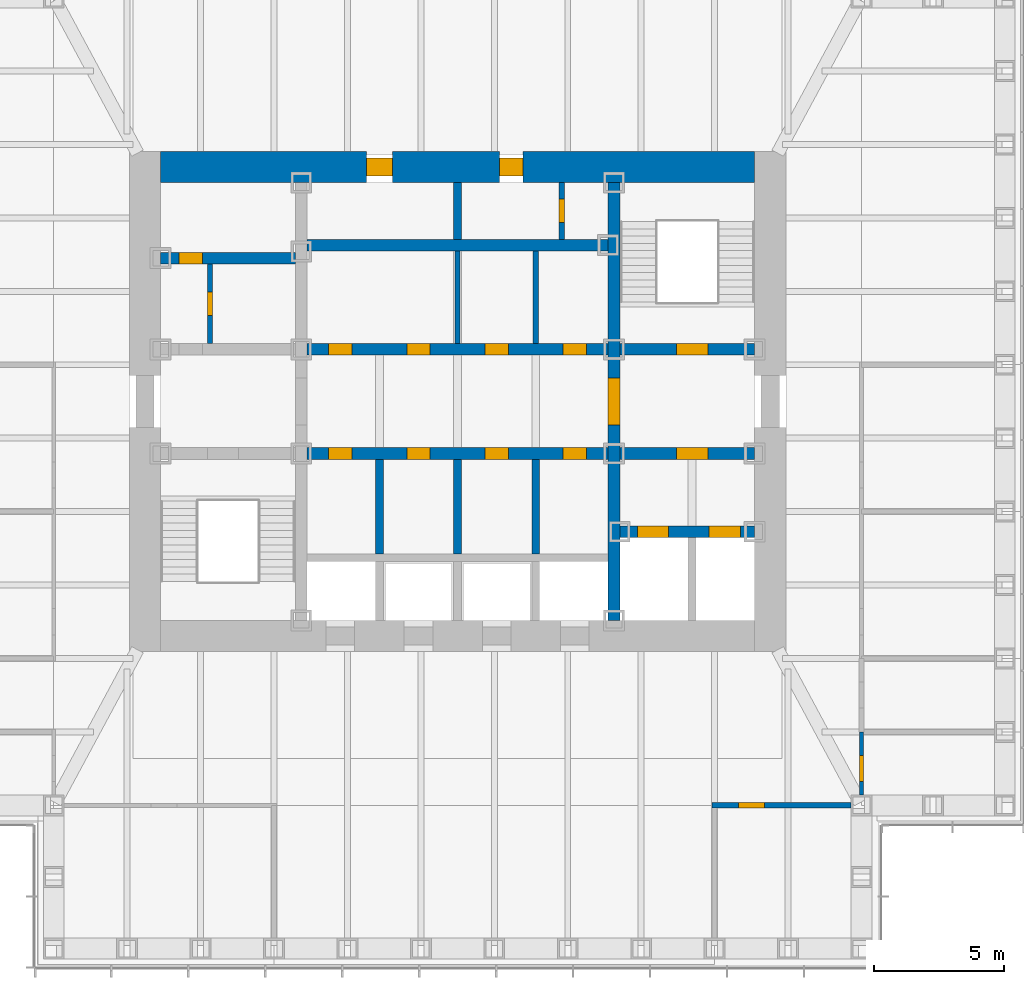
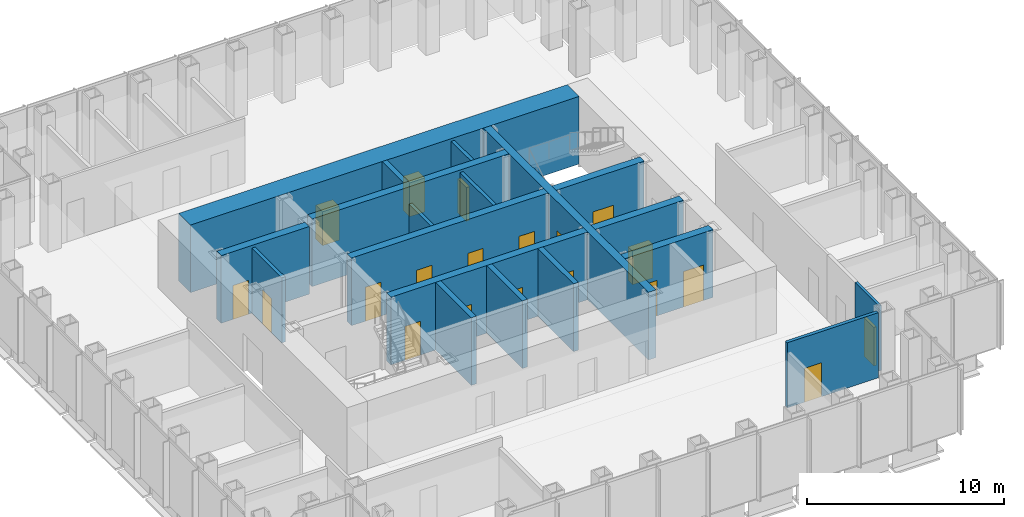
# One storey, part 9 of 16: 20 doors, 19 walls, 20 openings.
"""IFC4 building model written with IfcOpenShell, lengths in metres."""

from ifc_helpers import new_model, si_unit, direction, frame, frame_2d, origin, place, context, subcontext, project, spatial, rectangle, extrude, material, layer, layer_set, type_object, element, fill, save


model = new_model("IFC4")

# Units and contexts
model_context = context("Model", 3, precision=1e-05, world=origin(), true_north=direction((0.0, 1.0)))
body_context = subcontext(model_context, "Body", "Model", "MODEL_VIEW")
ifc_project = project(units=[si_unit("LENGTHUNIT", "METRE"), si_unit("AREAUNIT", "SQUARE_METRE"), si_unit("VOLUMEUNIT", "CUBIC_METRE"), si_unit("PLANEANGLEUNIT", "RADIAN"), si_unit("MASSUNIT", "GRAM", prefix="KILO")], contexts=[model_context])

# Site, building, storey
site_placement = place(None, origin())
site = spatial("IfcSite", under=ifc_project, at=site_placement, CompositionType="ELEMENT")
building_placement = place(site_placement, origin())
building = spatial("IfcBuilding", under=site, at=building_placement, Name="Daluyong Arena Tower", CompositionType="ELEMENT")
storey_placement = place(building_placement, frame((0.0, 0.0, 231.699951171875)))
storey = spatial("IfcBuildingStorey", under=building, at=storey_placement, Name="L52", CompositionType="ELEMENT", Elevation=231.699951171875)

# Wall, opening, door
ifc_material_1 = material(Name="Concrete fc' 45 MPa", Category="concrete")
ifc_layer_1 = layer(ifc_material_1, 0.449951171875)
ifc_layer_set_1 = layer_set([ifc_layer_1], Name="Concrete fc' 45 MPa")
wall_type_1 = type_object("IfcWallType", Name="Core inner wall 450", PredefinedType="SHEAR", material=ifc_layer_set_1)
wall_1_placement = place(storey_placement, frame((62.0, 71.60009765625, 0.0), z_axis=(0.0, 0.0, 1.0), x_axis=(0.0, 1.0, 0.0)))
wall_1 = element("IfcWall", 1, at=wall_1_placement, inside=storey, type_object=wall_type_1, Name="core inner wall at L52", PredefinedType="SHEAR", context=body_context, shape_type="SweptSolid", body=[
    extrude(rectangle(XDim=16.7998046875, YDim=0.449951171875, at=frame_2d((8.39990234375, 0.0))), origin(), (0.0, 0.0, 1.0), 4.199951171875),
])
opening_1_placement = place(wall_1_placement, frame((7.5, 0.0, 0.0)))
opening_1 = element("IfcOpeningElement", 2, at=opening_1_placement, cuts=wall_1, Name="Opening 52020", PredefinedType="OPENING", context=body_context, shape_type="SweptSolid", body=[
    extrude(rectangle(XDim=1.800048828125, YDim=2.39990234375, at=frame_2d((0.89990234375, 1.199951171875))), frame((0.0, 0.23486328125, 0.0), z_axis=(0.0, -1.0, 0.0), x_axis=(1.0, 0.0, 0.0)), (0.0, 0.0, 1.0), 0.469970703125),
])
ifc_material_2 = material(Name="Steel door, fire rated", Category="steel")
door_type_1 = type_object("IfcDoorType", Name="Lift lobby opening door 1800", OperationType="DOUBLE_DOOR_SINGLE_SWING", PredefinedType="DOOR", material=ifc_material_2)
door_1_placement = place(opening_1_placement, origin())
door_1 = element("IfcDoor", 3, at=door_1_placement, inside=storey, type_object=door_type_1, Name="lift lobby door east 52020", OperationType="DOUBLE_DOOR_SINGLE_SWING", OverallHeight=2.39990234375, OverallWidth=1.800048828125, PredefinedType="DOOR", context=body_context, shape_type="SweptSolid", body=[
    extrude(rectangle(XDim=1.800048828125, YDim=2.39990234375, at=frame_2d((0.89990234375, 1.199951171875))), frame((0.0, 0.224609375, 0.0), z_axis=(0.0, -1.0, 0.0), x_axis=(1.0, 0.0, 0.0)), (0.0, 0.0, 1.0), 0.449462890625),
])
fill(opening_1, door_1)

wall_2_placement = place(storey_placement, frame((44.60009765625, 85.5, 0.0), z_axis=(0.0, 0.0, 1.0), x_axis=(1.0, 0.0, 0.0)))
wall_2 = element("IfcWall", 4, at=wall_2_placement, inside=storey, type_object=wall_type_1, Name="core inner wall at L52", PredefinedType="SHEAR", context=body_context, shape_type="SweptSolid", body=[
    extrude(rectangle(XDim=5.1748046875, YDim=0.449951171875, at=frame_2d((2.58740234375, 0.0))), origin(), (0.0, 0.0, 1.0), 4.199951171875),
])
opening_2_placement = place(wall_2_placement, frame((0.699951171875, 0.0, 0.0)))
opening_2 = element("IfcOpeningElement", 5, at=opening_2_placement, cuts=wall_2, Name="Opening 52003", PredefinedType="OPENING", context=body_context, shape_type="SweptSolid", body=[
    extrude(rectangle(XDim=0.89990234375, YDim=2.10009765625, at=frame_2d((0.449951171875, 1.050048828125))), frame((0.0, 0.23486328125, 0.0), z_axis=(0.0, -1.0, 0.0), x_axis=(1.0, 0.0, 0.0)), (0.0, 0.0, 1.0), 0.469970703125),
])
ifc_material_3 = material(Name="Timber door", Category="wood")
door_type_2 = type_object("IfcDoorType", Name="Toilet door 900", OperationType="SINGLE_SWING_RIGHT", PredefinedType="DOOR", material=ifc_material_3)
door_2_placement = place(opening_2_placement, origin())
door_2 = element("IfcDoor", 6, at=door_2_placement, inside=storey, type_object=door_type_2, Name="female toilet door 52003", OperationType="SINGLE_SWING_RIGHT", OverallHeight=2.10009765625, OverallWidth=0.89990234375, PredefinedType="DOOR", context=body_context, shape_type="SweptSolid", body=[
    extrude(rectangle(XDim=0.89990234375, YDim=2.10009765625, at=frame_2d((0.449951171875, 1.050048828125))), frame((0.0, 0.224609375, 0.0), z_axis=(0.0, -1.0, 0.0), x_axis=(1.0, 0.0, 0.0)), (0.0, 0.0, 1.0), 0.449462890625),
])
fill(opening_2, door_2)

# Wall, openings, doors
wall_3_placement = place(storey_placement, frame((62.22509765625, 75.0, 0.0), z_axis=(0.0, 0.0, 1.0), x_axis=(1.0, 0.0, 0.0)))
wall_3 = element("IfcWall", 7, at=wall_3_placement, inside=storey, type_object=wall_type_1, Name="core inner wall at L52", PredefinedType="SHEAR", context=body_context, shape_type="SweptSolid", body=[
    extrude(rectangle(XDim=5.1748046875, YDim=0.449951171875, at=frame_2d((2.58740234375, 0.0))), origin(), (0.0, 0.0, 1.0), 4.199951171875),
])
opening_3_placement = place(wall_3_placement, frame((0.675048828125, 0.0, 0.0)))
opening_3 = element("IfcOpeningElement", 8, at=opening_3_placement, cuts=wall_3, Name="Opening 52026", PredefinedType="OPENING", context=body_context, shape_type="SweptSolid", body=[
    extrude(rectangle(XDim=1.199951171875, YDim=2.199951171875, at=frame_2d((0.60009765625, 1.10009765625))), frame((0.0, 0.23486328125, 0.0), z_axis=(0.0, -1.0, 0.0), x_axis=(1.0, 0.0, 0.0)), (0.0, 0.0, 1.0), 0.469970703125),
])
opening_4_placement = place(wall_3_placement, frame((3.425048828125, 0.0, 0.0)))
opening_4 = element("IfcOpeningElement", 9, at=opening_4_placement, cuts=wall_3, Name="Opening 52027", PredefinedType="OPENING", context=body_context, shape_type="SweptSolid", body=[
    extrude(rectangle(XDim=1.199951171875, YDim=2.199951171875, at=frame_2d((0.60009765625, 1.10009765625))), frame((0.0, 0.23486328125, 0.0), z_axis=(0.0, -1.0, 0.0), x_axis=(1.0, 0.0, 0.0)), (0.0, 0.0, 1.0), 0.469970703125),
])
ifc_material_4 = material(Name="Steel door, fire rated", Category="steel")
door_type_3 = type_object("IfcDoorType", Name="Firefighting lift landing door 1200", OperationType="SLIDING_TO_LEFT", PredefinedType="DOOR", material=ifc_material_4)
door_3_placement = place(opening_3_placement, origin())
door_3 = element("IfcDoor", 10, at=door_3_placement, inside=storey, type_object=door_type_3, Name="firefighting lift landing door F1 52026", OperationType="SLIDING_TO_LEFT", OverallHeight=2.199951171875, OverallWidth=1.199951171875, PredefinedType="DOOR", context=body_context, shape_type="SweptSolid", body=[
    extrude(rectangle(XDim=1.199951171875, YDim=2.199951171875, at=frame_2d((0.60009765625, 1.10009765625))), frame((0.0, 0.224609375, 0.0), z_axis=(0.0, -1.0, 0.0), x_axis=(1.0, 0.0, 0.0)), (0.0, 0.0, 1.0), 0.449462890625),
])
fill(opening_3, door_3)
door_4_placement = place(opening_4_placement, origin())
door_4 = element("IfcDoor", 11, at=door_4_placement, inside=storey, type_object=door_type_3, Name="firefighting lift landing door F2 52027", OperationType="SLIDING_TO_LEFT", OverallHeight=2.199951171875, OverallWidth=1.199951171875, PredefinedType="DOOR", context=body_context, shape_type="SweptSolid", body=[
    extrude(rectangle(XDim=1.199951171875, YDim=2.199951171875, at=frame_2d((0.60009765625, 1.10009765625))), frame((0.0, 0.224609375, 0.0), z_axis=(0.0, -1.0, 0.0), x_axis=(1.0, 0.0, 0.0)), (0.0, 0.0, 1.0), 0.449462890625),
])
fill(opening_4, door_4)

# Wall, opening, door
wall_4_placement = place(storey_placement, frame((62.22509765625, 78.0, 0.0), z_axis=(0.0, 0.0, 1.0), x_axis=(1.0, 0.0, 0.0)))
wall_4 = element("IfcWall", 12, at=wall_4_placement, inside=storey, type_object=wall_type_1, Name="core inner wall at L52", PredefinedType="SHEAR", context=body_context, shape_type="SweptSolid", body=[
    extrude(rectangle(XDim=5.1748046875, YDim=0.449951171875, at=frame_2d((2.58740234375, 0.0))), origin(), (0.0, 0.0, 1.0), 4.199951171875),
])
opening_5_placement = place(wall_4_placement, frame((2.175048828125, 0.0, 0.0)))
opening_5 = element("IfcOpeningElement", 13, at=opening_5_placement, cuts=wall_4, Name="Opening 52021", PredefinedType="OPENING", context=body_context, shape_type="SweptSolid", body=[
    extrude(rectangle(XDim=1.199951171875, YDim=2.10009765625, at=frame_2d((0.60009765625, 1.050048828125))), frame((0.0, 0.23486328125, 0.0), z_axis=(0.0, -1.0, 0.0), x_axis=(1.0, 0.0, 0.0)), (0.0, 0.0, 1.0), 0.469970703125),
])
ifc_material_5 = material(Name="Steel door, fire rated", Category="steel")
door_type_4 = type_object("IfcDoorType", Name="Firefighting lobby door 1200", OperationType="SINGLE_SWING_RIGHT", PredefinedType="DOOR", material=ifc_material_5)
door_5_placement = place(opening_5_placement, origin())
door_5 = element("IfcDoor", 14, at=door_5_placement, inside=storey, type_object=door_type_4, Name="firefighting lobby door 52021", OperationType="SINGLE_SWING_RIGHT", OverallHeight=2.10009765625, OverallWidth=1.199951171875, PredefinedType="DOOR", context=body_context, shape_type="SweptSolid", body=[
    extrude(rectangle(XDim=1.199951171875, YDim=2.10009765625, at=frame_2d((0.60009765625, 1.050048828125))), frame((0.0, 0.224609375, 0.0), z_axis=(0.0, -1.0, 0.0), x_axis=(1.0, 0.0, 0.0)), (0.0, 0.0, 1.0), 0.449462890625),
])
fill(opening_5, door_5)

wall_5_placement = place(storey_placement, frame((62.22509765625, 82.0, 0.0), z_axis=(0.0, 0.0, 1.0), x_axis=(1.0, 0.0, 0.0)))
wall_5 = element("IfcWall", 15, at=wall_5_placement, inside=storey, type_object=wall_type_1, Name="core inner wall at L52", PredefinedType="SHEAR", context=body_context, shape_type="SweptSolid", body=[
    extrude(rectangle(XDim=5.1748046875, YDim=0.449951171875, at=frame_2d((2.58740234375, 0.0))), origin(), (0.0, 0.0, 1.0), 4.199951171875),
])
opening_6_placement = place(wall_5_placement, frame((2.175048828125, 0.0, 0.0)))
opening_6 = element("IfcOpeningElement", 16, at=opening_6_placement, cuts=wall_5, Name="Opening 52016", PredefinedType="OPENING", context=body_context, shape_type="SweptSolid", body=[
    extrude(rectangle(XDim=1.199951171875, YDim=2.10009765625, at=frame_2d((0.60009765625, 1.050048828125))), frame((0.0, 0.23486328125, 0.0), z_axis=(0.0, -1.0, 0.0), x_axis=(1.0, 0.0, 0.0)), (0.0, 0.0, 1.0), 0.469970703125),
])
ifc_material_6 = material(Name="Steel door, fire rated", Category="steel")
door_type_5 = type_object("IfcDoorType", Name="Stair door 1200", OperationType="SINGLE_SWING_LEFT", PredefinedType="DOOR", material=ifc_material_6)
door_6_placement = place(opening_6_placement, origin())
door_6 = element("IfcDoor", 17, at=door_6_placement, inside=storey, type_object=door_type_5, Name="stair B door 52016", OperationType="SINGLE_SWING_LEFT", OverallHeight=2.10009765625, OverallWidth=1.199951171875, PredefinedType="DOOR", context=body_context, shape_type="SweptSolid", body=[
    extrude(rectangle(XDim=1.199951171875, YDim=2.10009765625, at=frame_2d((0.60009765625, 1.050048828125))), frame((0.0, 0.224609375, 0.0), z_axis=(0.0, -1.0, 0.0), x_axis=(1.0, 0.0, 0.0)), (0.0, 0.0, 1.0), 0.449462890625),
])
fill(opening_6, door_6)

# Wall, openings, doors
wall_6_placement = place(storey_placement, frame((50.22509765625, 78.0, 0.0), z_axis=(0.0, 0.0, 1.0), x_axis=(1.0, 0.0, 0.0)))
wall_6 = element("IfcWall", 18, at=wall_6_placement, inside=storey, type_object=wall_type_1, Name="core inner wall at L52", PredefinedType="SHEAR", context=body_context, shape_type="SweptSolid", body=[
    extrude(rectangle(XDim=11.5498046875, YDim=0.449951171875, at=frame_2d((5.77490234375, 0.0))), origin(), (0.0, 0.0, 1.0), 4.199951171875),
])
opening_7_placement = place(wall_6_placement, frame((0.824951171875, 0.0, 0.0)))
opening_7 = element("IfcOpeningElement", 19, at=opening_7_placement, cuts=wall_6, Name="Opening 52007", PredefinedType="OPENING", context=body_context, shape_type="SweptSolid", body=[
    extrude(rectangle(XDim=0.89990234375, YDim=2.10009765625, at=frame_2d((0.449951171875, 1.050048828125))), frame((0.0, 0.23486328125, 0.0), z_axis=(0.0, -1.0, 0.0), x_axis=(1.0, 0.0, 0.0)), (0.0, 0.0, 1.0), 0.469970703125),
])
opening_8_placement = place(wall_6_placement, frame((3.824951171875, 0.0, 0.0)))
opening_8 = element("IfcOpeningElement", 20, at=opening_8_placement, cuts=wall_6, Name="Opening 52008", PredefinedType="OPENING", context=body_context, shape_type="SweptSolid", body=[
    extrude(rectangle(XDim=0.89990234375, YDim=2.10009765625, at=frame_2d((0.449951171875, 1.050048828125))), frame((0.0, 0.23486328125, 0.0), z_axis=(0.0, -1.0, 0.0), x_axis=(1.0, 0.0, 0.0)), (0.0, 0.0, 1.0), 0.469970703125),
])
opening_9_placement = place(wall_6_placement, frame((6.824951171875, 0.0, 0.0)))
opening_9 = element("IfcOpeningElement", 21, at=opening_9_placement, cuts=wall_6, Name="Opening 52009", PredefinedType="OPENING", context=body_context, shape_type="SweptSolid", body=[
    extrude(rectangle(XDim=0.89990234375, YDim=2.10009765625, at=frame_2d((0.449951171875, 1.050048828125))), frame((0.0, 0.23486328125, 0.0), z_axis=(0.0, -1.0, 0.0), x_axis=(1.0, 0.0, 0.0)), (0.0, 0.0, 1.0), 0.469970703125),
])
opening_10_placement = place(wall_6_placement, frame((9.824951171875, 0.0, 0.0)))
opening_10 = element("IfcOpeningElement", 22, at=opening_10_placement, cuts=wall_6, Name="Opening 52010", PredefinedType="OPENING", context=body_context, shape_type="SweptSolid", body=[
    extrude(rectangle(XDim=0.89990234375, YDim=2.10009765625, at=frame_2d((0.449951171875, 1.050048828125))), frame((0.0, 0.23486328125, 0.0), z_axis=(0.0, -1.0, 0.0), x_axis=(1.0, 0.0, 0.0)), (0.0, 0.0, 1.0), 0.469970703125),
])
ifc_material_7 = material(Name="Steel door, fire rated", Category="steel")
door_type_6 = type_object("IfcDoorType", Name="Core room door 900", OperationType="SINGLE_SWING_LEFT", PredefinedType="DOOR", material=ifc_material_7)
door_7_placement = place(opening_7_placement, origin())
door_7 = element("IfcDoor", 23, at=door_7_placement, inside=storey, type_object=door_type_6, Name="print room door 52007", OperationType="SINGLE_SWING_LEFT", OverallHeight=2.10009765625, OverallWidth=0.89990234375, PredefinedType="DOOR", context=body_context, shape_type="SweptSolid", body=[
    extrude(rectangle(XDim=0.89990234375, YDim=2.10009765625, at=frame_2d((0.449951171875, 1.050048828125))), frame((0.0, 0.224609375, 0.0), z_axis=(0.0, -1.0, 0.0), x_axis=(1.0, 0.0, 0.0)), (0.0, 0.0, 1.0), 0.449462890625),
])
fill(opening_7, door_7)
door_8_placement = place(opening_8_placement, origin())
door_8 = element("IfcDoor", 24, at=door_8_placement, inside=storey, type_object=door_type_6, Name="mail room door 52008", OperationType="SINGLE_SWING_LEFT", OverallHeight=2.10009765625, OverallWidth=0.89990234375, PredefinedType="DOOR", context=body_context, shape_type="SweptSolid", body=[
    extrude(rectangle(XDim=0.89990234375, YDim=2.10009765625, at=frame_2d((0.449951171875, 1.050048828125))), frame((0.0, 0.224609375, 0.0), z_axis=(0.0, -1.0, 0.0), x_axis=(1.0, 0.0, 0.0)), (0.0, 0.0, 1.0), 0.449462890625),
])
fill(opening_8, door_8)
ifc_material_8 = material(Name="Steel door, fire rated", Category="steel")
door_type_7 = type_object("IfcDoorType", Name="Core store door 900", OperationType="SINGLE_SWING_LEFT", PredefinedType="DOOR", material=ifc_material_8)
door_9_placement = place(opening_9_placement, origin())
door_9 = element("IfcDoor", 25, at=door_9_placement, inside=storey, type_object=door_type_7, Name="facilities store door 52009", OperationType="SINGLE_SWING_LEFT", OverallHeight=2.10009765625, OverallWidth=0.89990234375, PredefinedType="DOOR", context=body_context, shape_type="SweptSolid", body=[
    extrude(rectangle(XDim=0.89990234375, YDim=2.10009765625, at=frame_2d((0.449951171875, 1.050048828125))), frame((0.0, 0.224609375, 0.0), z_axis=(0.0, -1.0, 0.0), x_axis=(1.0, 0.0, 0.0)), (0.0, 0.0, 1.0), 0.449462890625),
])
fill(opening_9, door_9)
ifc_material_9 = material(Name="Steel door, fire rated", Category="steel")
door_type_8 = type_object("IfcDoorType", Name="Plant room door 900", OperationType="SINGLE_SWING_LEFT", PredefinedType="DOOR", material=ifc_material_9)
door_10_placement = place(opening_10_placement, origin())
door_10 = element("IfcDoor", 26, at=door_10_placement, inside=storey, type_object=door_type_8, Name="comms room door 52010", OperationType="SINGLE_SWING_LEFT", OverallHeight=2.10009765625, OverallWidth=0.89990234375, PredefinedType="DOOR", context=body_context, shape_type="SweptSolid", body=[
    extrude(rectangle(XDim=0.89990234375, YDim=2.10009765625, at=frame_2d((0.449951171875, 1.050048828125))), frame((0.0, 0.224609375, 0.0), z_axis=(0.0, -1.0, 0.0), x_axis=(1.0, 0.0, 0.0)), (0.0, 0.0, 1.0), 0.449462890625),
])
fill(opening_10, door_10)

wall_7_placement = place(storey_placement, frame((50.22509765625, 82.0, 0.0), z_axis=(0.0, 0.0, 1.0), x_axis=(1.0, 0.0, 0.0)))
wall_7 = element("IfcWall", 27, at=wall_7_placement, inside=storey, type_object=wall_type_1, Name="core inner wall at L52", PredefinedType="SHEAR", context=body_context, shape_type="SweptSolid", body=[
    extrude(rectangle(XDim=11.5498046875, YDim=0.449951171875, at=frame_2d((5.77490234375, 0.0))), origin(), (0.0, 0.0, 1.0), 4.199951171875),
])
opening_11_placement = place(wall_7_placement, frame((0.824951171875, 0.0, 0.0)))
opening_11 = element("IfcOpeningElement", 28, at=opening_11_placement, cuts=wall_7, Name="Opening 52011", PredefinedType="OPENING", context=body_context, shape_type="SweptSolid", body=[
    extrude(rectangle(XDim=0.89990234375, YDim=2.10009765625, at=frame_2d((0.449951171875, 1.050048828125))), frame((0.0, 0.23486328125, 0.0), z_axis=(0.0, -1.0, 0.0), x_axis=(1.0, 0.0, 0.0)), (0.0, 0.0, 1.0), 0.469970703125),
])
opening_12_placement = place(wall_7_placement, frame((3.824951171875, 0.0, 0.0)))
opening_12 = element("IfcOpeningElement", 29, at=opening_12_placement, cuts=wall_7, Name="Opening 52012", PredefinedType="OPENING", context=body_context, shape_type="SweptSolid", body=[
    extrude(rectangle(XDim=0.89990234375, YDim=2.10009765625, at=frame_2d((0.449951171875, 1.050048828125))), frame((0.0, 0.23486328125, 0.0), z_axis=(0.0, -1.0, 0.0), x_axis=(1.0, 0.0, 0.0)), (0.0, 0.0, 1.0), 0.469970703125),
])
opening_13_placement = place(wall_7_placement, frame((6.824951171875, 0.0, 0.0)))
opening_13 = element("IfcOpeningElement", 30, at=opening_13_placement, cuts=wall_7, Name="Opening 52013", PredefinedType="OPENING", context=body_context, shape_type="SweptSolid", body=[
    extrude(rectangle(XDim=0.89990234375, YDim=2.10009765625, at=frame_2d((0.449951171875, 1.050048828125))), frame((0.0, 0.23486328125, 0.0), z_axis=(0.0, -1.0, 0.0), x_axis=(1.0, 0.0, 0.0)), (0.0, 0.0, 1.0), 0.469970703125),
])
opening_14_placement = place(wall_7_placement, frame((9.824951171875, 0.0, 0.0)))
opening_14 = element("IfcOpeningElement", 31, at=opening_14_placement, cuts=wall_7, Name="Opening 52014", PredefinedType="OPENING", context=body_context, shape_type="SweptSolid", body=[
    extrude(rectangle(XDim=0.89990234375, YDim=2.10009765625, at=frame_2d((0.449951171875, 1.050048828125))), frame((0.0, 0.23486328125, 0.0), z_axis=(0.0, -1.0, 0.0), x_axis=(1.0, 0.0, 0.0)), (0.0, 0.0, 1.0), 0.469970703125),
])
door_11_placement = place(opening_13_placement, origin())
door_11 = element("IfcDoor", 32, at=door_11_placement, inside=storey, type_object=door_type_6, Name="staff pantry door 52013", OperationType="SINGLE_SWING_LEFT", OverallHeight=2.10009765625, OverallWidth=0.89990234375, PredefinedType="DOOR", context=body_context, shape_type="SweptSolid", body=[
    extrude(rectangle(XDim=0.89990234375, YDim=2.10009765625, at=frame_2d((0.449951171875, 1.050048828125))), frame((0.0, 0.224609375, 0.0), z_axis=(0.0, -1.0, 0.0), x_axis=(1.0, 0.0, 0.0)), (0.0, 0.0, 1.0), 0.449462890625),
])
fill(opening_13, door_11)
door_12_placement = place(opening_14_placement, origin())
door_12 = element("IfcDoor", 33, at=door_12_placement, inside=storey, type_object=door_type_6, Name="vending room door 52014", OperationType="SINGLE_SWING_LEFT", OverallHeight=2.10009765625, OverallWidth=0.89990234375, PredefinedType="DOOR", context=body_context, shape_type="SweptSolid", body=[
    extrude(rectangle(XDim=0.89990234375, YDim=2.10009765625, at=frame_2d((0.449951171875, 1.050048828125))), frame((0.0, 0.224609375, 0.0), z_axis=(0.0, -1.0, 0.0), x_axis=(1.0, 0.0, 0.0)), (0.0, 0.0, 1.0), 0.449462890625),
])
fill(opening_14, door_12)
door_13_placement = place(opening_11_placement, origin())
door_13 = element("IfcDoor", 34, at=door_13_placement, inside=storey, type_object=door_type_7, Name="cleaner's store door 52011", OperationType="SINGLE_SWING_LEFT", OverallHeight=2.10009765625, OverallWidth=0.89990234375, PredefinedType="DOOR", context=body_context, shape_type="SweptSolid", body=[
    extrude(rectangle(XDim=0.89990234375, YDim=2.10009765625, at=frame_2d((0.449951171875, 1.050048828125))), frame((0.0, 0.224609375, 0.0), z_axis=(0.0, -1.0, 0.0), x_axis=(1.0, 0.0, 0.0)), (0.0, 0.0, 1.0), 0.449462890625),
])
fill(opening_11, door_13)
door_14_placement = place(opening_12_placement, origin())
door_14 = element("IfcDoor", 35, at=door_14_placement, inside=storey, type_object=door_type_7, Name="cleaner's store door 52012", OperationType="SINGLE_SWING_LEFT", OverallHeight=2.10009765625, OverallWidth=0.89990234375, PredefinedType="DOOR", context=body_context, shape_type="SweptSolid", body=[
    extrude(rectangle(XDim=0.89990234375, YDim=2.10009765625, at=frame_2d((0.449951171875, 1.050048828125))), frame((0.0, 0.224609375, 0.0), z_axis=(0.0, -1.0, 0.0), x_axis=(1.0, 0.0, 0.0)), (0.0, 0.0, 1.0), 0.449462890625),
])
fill(opening_12, door_14)

# Wall
wall_8_placement = place(storey_placement, frame((50.22509765625, 86.0, 0.0), z_axis=(0.0, 0.0, 1.0), x_axis=(1.0, 0.0, 0.0)))
element("IfcWall", 36, at=wall_8_placement, inside=storey, type_object=wall_type_1, Name="core inner wall at L52", PredefinedType="SHEAR", context=body_context, shape_type="SweptSolid", body=[
    extrude(rectangle(XDim=11.5498046875, YDim=0.449951171875, at=frame_2d((5.77490234375, 0.0))), origin(), (0.0, 0.0, 1.0), 4.199951171875),
])

# Wall, openings, doors
ifc_material_10 = material(Name="Concrete fc' 60 MPa", Category="concrete")
ifc_layer_2 = layer(ifc_material_10, 1.199951171875)
ifc_layer_set_2 = layer_set([ifc_layer_2], Name="Concrete fc' 60 MPa")
wall_type_2 = type_object("IfcWallType", Name="Core wall 1200", PredefinedType="SHEAR", material=ifc_layer_set_2)
wall_9_placement = place(storey_placement, frame((44.60009765625, 89.0, 0.0), z_axis=(0.0, 0.0, 1.0), x_axis=(1.0, 0.0, 0.0)))
wall_9 = element("IfcWall", 37, at=wall_9_placement, inside=storey, type_object=wall_type_2, Name="core wall at L52", PredefinedType="SHEAR", context=body_context, shape_type="SweptSolid", body=[
    extrude(rectangle(XDim=22.7998046875, YDim=1.199951171875, at=frame_2d((11.39990234375, 0.0))), origin(), (0.0, 0.0, 1.0), 4.199951171875),
])
opening_15_placement = place(wall_9_placement, frame((7.89990234375, 0.0, 0.0)))
opening_15 = element("IfcOpeningElement", 38, at=opening_15_placement, cuts=wall_9, Name="Opening 52004", PredefinedType="OPENING", context=body_context, shape_type="SweptSolid", body=[
    extrude(rectangle(XDim=1.0, YDim=2.10009765625, at=frame_2d((0.5, 1.050048828125))), frame((0.0, 0.60986328125, 0.0), z_axis=(0.0, -1.0, 0.0), x_axis=(1.0, 0.0, 0.0)), (0.0, 0.0, 1.0), 1.219970703125),
])
opening_16_placement = place(wall_9_placement, frame((13.012451171875, 0.0, 0.0)))
opening_16 = element("IfcOpeningElement", 39, at=opening_16_placement, cuts=wall_9, Name="Opening 52005", PredefinedType="OPENING", context=body_context, shape_type="SweptSolid", body=[
    extrude(rectangle(XDim=0.89990234375, YDim=2.10009765625, at=frame_2d((0.449951171875, 1.050048828125))), frame((0.0, 0.60986328125, 0.0), z_axis=(0.0, -1.0, 0.0), x_axis=(1.0, 0.0, 0.0)), (0.0, 0.0, 1.0), 1.219970703125),
])
ifc_material_11 = material(Name="Timber door", Category="wood")
door_type_9 = type_object("IfcDoorType", Name="Accessible toilet door 1000", OperationType="SINGLE_SWING_LEFT", PredefinedType="DOOR", material=ifc_material_11)
door_15_placement = place(opening_15_placement, origin())
door_15 = element("IfcDoor", 40, at=door_15_placement, inside=storey, type_object=door_type_9, Name="accessible toilet door 52004", OperationType="SINGLE_SWING_LEFT", OverallHeight=2.10009765625, OverallWidth=1.0, PredefinedType="DOOR", context=body_context, shape_type="SweptSolid", body=[
    extrude(rectangle(XDim=1.0, YDim=2.10009765625, at=frame_2d((0.5, 1.050048828125))), frame((0.0, 0.35009765625, 0.0), z_axis=(0.0, -1.0, 0.0), x_axis=(1.0, 0.0, 0.0)), (0.0, 0.0, 1.0), 0.699951171875),
])
fill(opening_15, door_15)
door_16_placement = place(opening_16_placement, origin())
door_16 = element("IfcDoor", 41, at=door_16_placement, inside=storey, type_object=door_type_6, Name="parcel room door 52005", OperationType="SINGLE_SWING_LEFT", OverallHeight=2.10009765625, OverallWidth=0.89990234375, PredefinedType="DOOR", context=body_context, shape_type="SweptSolid", body=[
    extrude(rectangle(XDim=0.89990234375, YDim=2.10009765625, at=frame_2d((0.449951171875, 1.050048828125))), frame((0.0, 0.35009765625, 0.0), z_axis=(0.0, -1.0, 0.0), x_axis=(1.0, 0.0, 0.0)), (0.0, 0.0, 1.0), 0.699951171875),
])
fill(opening_16, door_16)

# Wall, opening, door
ifc_material_12 = material(Name="Concrete block partition, fire rated", Category="concrete")
ifc_layer_3 = layer(ifc_material_12, 0.199951171875)
ifc_layer_set_3 = layer_set([ifc_layer_3], Name="Concrete block partition, fire rated")
wall_type_3 = type_object("IfcWallType", Name="Fire-rated partition 200", PredefinedType="PARTITIONING", material=ifc_layer_set_3)
wall_10_placement = place(storey_placement, frame((46.5, 82.22509765625, 0.0), z_axis=(0.0, 0.0, 1.0), x_axis=(0.0, 1.0, 0.0)))
wall_10 = element("IfcWall", 42, at=wall_10_placement, inside=storey, type_object=wall_type_3, Name="toilet lobby partition at L52", PredefinedType="PARTITIONING", context=body_context, shape_type="SweptSolid", body=[
    extrude(rectangle(XDim=3.0498046875, YDim=0.199951171875, at=frame_2d((1.52490234375, 0.0))), origin(), (0.0, 0.0, 1.0), 4.0400390625),
])
opening_17_placement = place(wall_10_placement, frame((1.074951171875, 0.0, 0.0)))
opening_17 = element("IfcOpeningElement", 43, at=opening_17_placement, cuts=wall_10, Name="Opening 52002", PredefinedType="OPENING", context=body_context, shape_type="SweptSolid", body=[
    extrude(rectangle(XDim=0.89990234375, YDim=2.10009765625, at=frame_2d((0.449951171875, 1.050048828125))), frame((0.0, 0.10986328125, 0.0), z_axis=(0.0, -1.0, 0.0), x_axis=(1.0, 0.0, 0.0)), (0.0, 0.0, 1.0), 0.219970703125),
])
door_17_placement = place(opening_17_placement, origin())
door_17 = element("IfcDoor", 44, at=door_17_placement, inside=storey, type_object=door_type_2, Name="male toilet door 52002", OperationType="SINGLE_SWING_RIGHT", OverallHeight=2.10009765625, OverallWidth=0.89990234375, PredefinedType="DOOR", context=body_context, shape_type="SweptSolid", body=[
    extrude(rectangle(XDim=0.89990234375, YDim=2.10009765625, at=frame_2d((0.449951171875, 1.050048828125))), frame((0.0, 0.099609375, 0.0), z_axis=(0.0, -1.0, 0.0), x_axis=(1.0, 0.0, 0.0)), (0.0, 0.0, 1.0), 0.199462890625),
])
fill(opening_17, door_17)

wall_11_placement = place(storey_placement, frame((60.0, 86.22509765625, 0.0), z_axis=(0.0, 0.0, 1.0), x_axis=(0.0, 1.0, 0.0)))
wall_11 = element("IfcWall", 45, at=wall_11_placement, inside=storey, type_object=wall_type_3, Name="electrical riser enclosure at L52", PredefinedType="PARTITIONING", context=body_context, shape_type="SweptSolid", body=[
    extrude(rectangle(XDim=2.1748046875, YDim=0.199951171875, at=frame_2d((1.08740234375, 0.0))), origin(), (0.0, 0.0, 1.0), 4.0400390625),
])
opening_18_placement = place(wall_11_placement, frame((0.637451171875, 0.0, 0.0)))
opening_18 = element("IfcOpeningElement", 46, at=opening_18_placement, cuts=wall_11, Name="Opening 52006", PredefinedType="OPENING", context=body_context, shape_type="SweptSolid", body=[
    extrude(rectangle(XDim=0.89990234375, YDim=2.10009765625, at=frame_2d((0.449951171875, 1.050048828125))), frame((0.0, 0.10986328125, 0.0), z_axis=(0.0, -1.0, 0.0), x_axis=(1.0, 0.0, 0.0)), (0.0, 0.0, 1.0), 0.219970703125),
])
ifc_material_13 = material(Name="Steel door, fire rated", Category="steel")
door_type_10 = type_object("IfcDoorType", Name="Riser door 900", OperationType="SINGLE_SWING_LEFT", PredefinedType="DOOR", material=ifc_material_13)
door_18_placement = place(opening_18_placement, origin())
door_18 = element("IfcDoor", 47, at=door_18_placement, inside=storey, type_object=door_type_10, Name="riser door 52006", OperationType="SINGLE_SWING_LEFT", OverallHeight=2.10009765625, OverallWidth=0.89990234375, PredefinedType="DOOR", context=body_context, shape_type="SweptSolid", body=[
    extrude(rectangle(XDim=0.89990234375, YDim=2.10009765625, at=frame_2d((0.449951171875, 1.050048828125))), frame((0.0, 0.099609375, 0.0), z_axis=(0.0, -1.0, 0.0), x_axis=(1.0, 0.0, 0.0)), (0.0, 0.0, 1.0), 0.199462890625),
])
fill(opening_18, door_18)

# Walls
wall_12_placement = place(storey_placement, frame((56.0, 82.22509765625, 0.0), z_axis=(0.0, 0.0, 1.0), x_axis=(0.0, 1.0, 0.0)))
element("IfcWall", 48, at=wall_12_placement, inside=storey, type_object=wall_type_3, Name="core room partition at L52", PredefinedType="PARTITIONING", context=body_context, shape_type="SweptSolid", body=[
    extrude(rectangle(XDim=3.5498046875, YDim=0.199951171875, at=frame_2d((1.77490234375, 0.0))), origin(), (0.0, 0.0, 1.0), 3.14013671875),
])
wall_13_placement = place(storey_placement, frame((59.0, 82.22509765625, 0.0), z_axis=(0.0, 0.0, 1.0), x_axis=(0.0, 1.0, 0.0)))
element("IfcWall", 49, at=wall_13_placement, inside=storey, type_object=wall_type_3, Name="core room partition at L52", PredefinedType="PARTITIONING", context=body_context, shape_type="SweptSolid", body=[
    extrude(rectangle(XDim=3.5498046875, YDim=0.199951171875, at=frame_2d((1.77490234375, 0.0))), origin(), (0.0, 0.0, 1.0), 4.0400390625),
])

# Wall, opening, door
ifc_material_14 = material(Name="Glazed aluminium partition", Category="aluminium")
ifc_layer_4 = layer(ifc_material_14, 0.14990234375)
ifc_layer_set_4 = layer_set([ifc_layer_4], Name="Glazed aluminium partition")
wall_type_4 = type_object("IfcWallType", Name="Glazed partition 150", PredefinedType="PARTITIONING", material=ifc_layer_set_4)
wall_14_placement = place(storey_placement, frame((71.5, 64.89990234375, 0.0), z_axis=(0.0, 0.0, 1.0), x_axis=(0.0, 1.0, 0.0)))
wall_14 = element("IfcWall", 50, at=wall_14_placement, inside=storey, type_object=wall_type_4, Name="glazed partition at L52", PredefinedType="PARTITIONING", context=body_context, shape_type="SweptSolid", body=[
    extrude(rectangle(XDim=2.418212890625, YDim=0.14990234375, at=frame_2d((1.208984375, 0.0))), origin(), (0.0, 0.0, 1.0), 4.0400390625),
])
opening_19_placement = place(wall_14_placement, frame((0.509033203125, 0.0, 0.0)))
opening_19 = element("IfcOpeningElement", 51, at=opening_19_placement, cuts=wall_14, Name="Opening 52030", PredefinedType="OPENING", context=body_context, shape_type="SweptSolid", body=[
    extrude(rectangle(XDim=1.0, YDim=2.39990234375, at=frame_2d((0.5, 1.199951171875))), frame((0.0, 0.0849609375, 0.0), z_axis=(0.0, -1.0, 0.0), x_axis=(1.0, 0.0, 0.0)), (0.0, 0.0, 1.0), 0.169921875),
])
ifc_material_15 = material(Name="Glazed aluminium door", Category="aluminium")
door_type_11 = type_object("IfcDoorType", Name="Meeting room glazed door 1000", OperationType="SINGLE_SWING_RIGHT", PredefinedType="DOOR", material=ifc_material_15)
door_19_placement = place(opening_19_placement, origin())
door_19 = element("IfcDoor", 52, at=door_19_placement, inside=storey, type_object=door_type_11, Name="focus room door 52030", OperationType="SINGLE_SWING_RIGHT", OverallHeight=2.39990234375, OverallWidth=1.0, PredefinedType="DOOR", context=body_context, shape_type="SweptSolid", body=[
    extrude(rectangle(XDim=1.0, YDim=2.39990234375, at=frame_2d((0.5, 1.199951171875))), frame((0.0, 0.07470703125, 0.0), z_axis=(0.0, -1.0, 0.0), x_axis=(1.0, 0.0, 0.0)), (0.0, 0.0, 1.0), 0.1494140625),
])
fill(opening_19, door_19)

# Walls
ifc_material_16 = material(Name="Concrete fc' 45 MPa", Category="concrete")
ifc_layer_5 = layer(ifc_material_16, 0.300048828125)
ifc_layer_set_5 = layer_set([ifc_layer_5], Name="Concrete fc' 45 MPa")
wall_type_5 = type_object("IfcWallType", Name="Lift shaft wall 300", PredefinedType="SHEAR", material=ifc_layer_set_5)
for number, where, z_axis, x_axis, name in (
    (53, (53.0, 74.14990234375, 0.0), (0.0, 0.0, 1.0), (0.0, 1.0, 0.0), "lift shaft wall at L52"),
    (54, (56.0, 74.14990234375, 0.0), (0.0, 0.0, 1.0), (0.0, 1.0, 0.0), "lift shaft wall at L52"),
    (55, (59.0, 74.14990234375, 0.0), (0.0, 0.0, 1.0), (0.0, 1.0, 0.0), "lift shaft wall at L52"),
):
    element("IfcWall", number, at=place(storey_placement, frame(where, z_axis=z_axis, x_axis=x_axis)), inside=storey, type_object=wall_type_5, Name=name, PredefinedType="SHEAR", context=body_context, shape_type="SweptSolid", body=[
        extrude(rectangle(XDim=3.625, YDim=0.300048828125, at=frame_2d((1.8125, 0.0))), origin(), (0.0, 0.0, 1.0), 4.199951171875),
    ])
wall_15_placement = place(storey_placement, frame((56.0, 86.22509765625, 0.0), z_axis=(0.0, 0.0, 1.0), x_axis=(0.0, 1.0, 0.0)))
element("IfcWall", 56, at=wall_15_placement, inside=storey, type_object=wall_type_5, Name="lift shaft wall at L52", PredefinedType="SHEAR", context=body_context, shape_type="SweptSolid", body=[
    extrude(rectangle(XDim=2.1748046875, YDim=0.300048828125, at=frame_2d((1.08740234375, 0.0))), origin(), (0.0, 0.0, 1.0), 4.199951171875),
])

# Wall, opening, door
ifc_material_17 = material(Name="Concrete block partition", Category="concrete")
ifc_layer_6 = layer(ifc_material_17, 0.199951171875)
ifc_layer_set_6 = layer_set([ifc_layer_6], Name="Concrete block partition")
wall_type_6 = type_object("IfcWallType", Name="Partition 200", PredefinedType="PARTITIONING", material=ifc_layer_set_6)
wall_16_placement = place(storey_placement, frame((65.763671875, 64.5, 0.0), z_axis=(0.0, 0.0, 1.0), x_axis=(1.0, 0.0, 0.0)))
wall_16 = element("IfcWall", 57, at=wall_16_placement, inside=storey, type_object=wall_type_6, Name="partition at L52", PredefinedType="PARTITIONING", context=body_context, shape_type="SweptSolid", body=[
    extrude(rectangle(XDim=5.33642578125, YDim=0.199951171875, at=frame_2d((2.668212890625, 0.0))), origin(), (0.0, 0.0, 1.0), 4.0400390625),
])
opening_20_placement = place(wall_16_placement, frame((1.009033203125, 0.0, 0.0)))
opening_20 = element("IfcOpeningElement", 58, at=opening_20_placement, cuts=wall_16, Name="Opening 52029", PredefinedType="OPENING", context=body_context, shape_type="SweptSolid", body=[
    extrude(rectangle(XDim=1.0, YDim=2.10009765625, at=frame_2d((0.5, 1.050048828125))), frame((0.0, 0.10986328125, 0.0), z_axis=(0.0, -1.0, 0.0), x_axis=(1.0, 0.0, 0.0)), (0.0, 0.0, 1.0), 0.219970703125),
])
ifc_material_18 = material(Name="Timber door", Category="wood")
door_type_12 = type_object("IfcDoorType", Name="Room door 1000", OperationType="SINGLE_SWING_LEFT", PredefinedType="DOOR", material=ifc_material_18)
door_20_placement = place(opening_20_placement, origin())
door_20 = element("IfcDoor", 59, at=door_20_placement, inside=storey, type_object=door_type_12, Name="pantry door 52029", OperationType="SINGLE_SWING_LEFT", OverallHeight=2.10009765625, OverallWidth=1.0, PredefinedType="DOOR", context=body_context, shape_type="SweptSolid", body=[
    extrude(rectangle(XDim=1.0, YDim=2.10009765625, at=frame_2d((0.5, 1.050048828125))), frame((0.0, 0.099609375, 0.0), z_axis=(0.0, -1.0, 0.0), x_axis=(1.0, 0.0, 0.0)), (0.0, 0.0, 1.0), 0.199462890625),
])
fill(opening_20, door_20)

save(model, "model.ifc")
